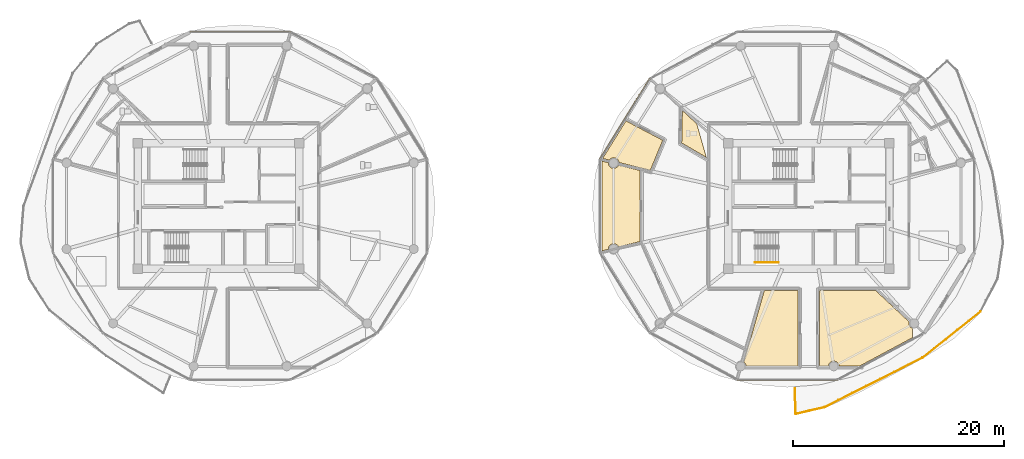
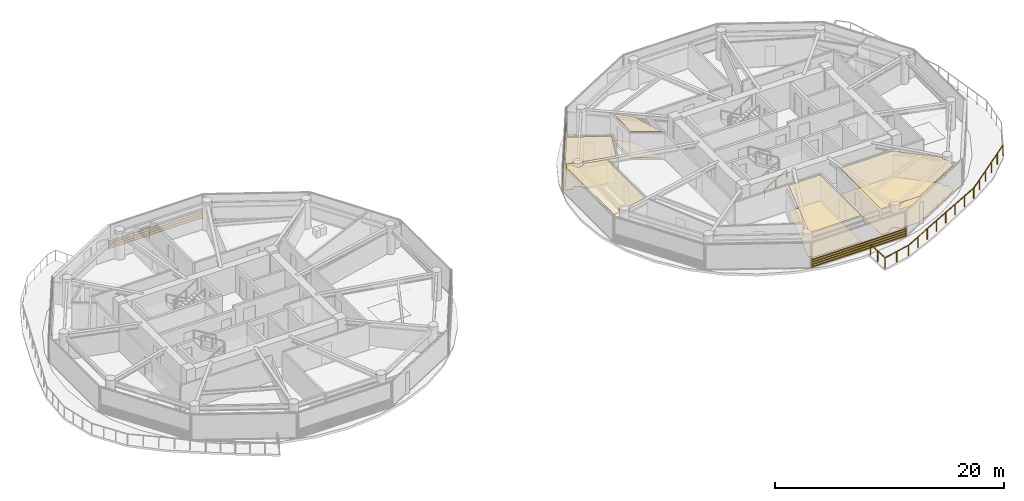
# One storey, part 22 of 25: 9 coverings, 3 shading devices, 2 railings.
"""IFC4 building model written with IfcOpenShell, lengths in metres."""

from ifc_helpers import new_model, si_unit, direction, frame, origin, origin_2d, place, context, subcontext, project, spatial, polyline, rectangle, outline, extrude, source, transform, mapped, material, layer, layer_set, type_object, type_shapes, element, save


model = new_model("IFC4")

# Units and contexts
model_context = context("Model", 3, precision=1e-05, world=origin(), true_north=direction((0.0, 1.0)))
body_context = subcontext(model_context, "Body", "Model", "MODEL_VIEW")
ifc_project = project(units=[si_unit("LENGTHUNIT", "METRE"), si_unit("AREAUNIT", "SQUARE_METRE"), si_unit("VOLUMEUNIT", "CUBIC_METRE"), si_unit("PLANEANGLEUNIT", "RADIAN"), si_unit("MASSUNIT", "GRAM", prefix="KILO")], contexts=[model_context])

# Site, building, storey
site_placement = place(None, origin())
site = spatial("IfcSite", under=ifc_project, at=site_placement, CompositionType="ELEMENT")
building_placement = place(site_placement, origin())
building = spatial("IfcBuilding", under=site, at=building_placement, Name="Norrkilde Senior Care Towers", CompositionType="ELEMENT")
storey_placement = place(building_placement, frame((0.0, 0.0, 99.300048828125)))
storey = spatial("IfcBuildingStorey", under=building, at=storey_placement, Name="L30", CompositionType="ELEMENT", Elevation=99.300048828125)

# Coverings
ifc_material_1 = material(Name="Nordic Ash Timber", Category="wood")
ifc_layer_1 = layer(ifc_material_1, 0.044921875)
ifc_layer_set_1 = layer_set([ifc_layer_1], Name="Nordic Ash Timber")
covering_type_1 = type_object("IfcCoveringType", Name="Acoustic Ash Timber Slatted Ceiling 45", PredefinedType="CEILING", material=ifc_layer_set_1)
covering_1_placement = place(storey_placement, frame((0.0, 0.0, 2.744873046875)))
element("IfcCovering", 1, at=covering_1_placement, inside=storey, type_object=covering_type_1, Name="L30 Suspended Ceiling 0260", PredefinedType="CEILING", context=body_context, shape_type="SweptSolid", body=[
    extrude(outline(polyline([(23.784912109375, -8.0), (26.97998046875, -8.0), (26.97998046875, -15.169921875), (22.036376953125, -15.169921875), (22.02490234375, -15.08251953125), (21.974365234375, -14.9609375), (21.894287109375, -14.856201171875), (21.835205078125, -14.81103515625), (23.784912109375, -8.0)])), origin(), (0.0, 0.0, 1.0), 0.045166015625),
])
covering_2_placement = place(storey_placement, frame((0.0, 0.0, 2.744873046875)))
element("IfcCovering", 2, at=covering_2_placement, inside=storey, type_object=covering_type_1, Name="L30 Suspended Ceiling 0261", PredefinedType="CEILING", context=body_context, shape_type="SweptSolid", body=[
    extrude(outline(polyline([(32.846435546875, -15.169921875), (30.862060546875, -15.169921875), (30.8505859375, -15.08251953125), (30.80029296875, -14.9609375), (30.719970703125, -14.856201171875), (30.615478515625, -14.77587890625), (30.49365234375, -14.7255859375), (30.36279296875, -14.708251953125), (30.232177734375, -14.7255859375), (30.1103515625, -14.77587890625), (30.005859375, -14.856201171875), (29.925537109375, -14.9609375), (29.875, -15.08251953125), (29.863525390625, -15.169921875), (29.02001953125, -15.169921875), (29.02001953125, -8.0), (34.320556640625, -8.0), (37.522216796875, -10.9970703125), (37.518310546875, -11.00634765625), (37.501220703125, -11.136962890625), (37.518310546875, -11.267578125), (37.56884765625, -11.389404296875), (37.649169921875, -11.494140625), (37.753662109375, -11.57421875), (37.830078125, -11.60595703125), (37.830078125, -12.496826171875), (32.846435546875, -15.169921875)])), origin(), (0.0, 0.0, 1.0), 0.045166015625),
])
covering_3_placement = place(storey_placement, frame((0.0, 0.0, 2.744873046875)))
element("IfcCovering", 3, at=covering_3_placement, inside=storey, type_object=covering_type_1, Name="L30 Suspended Ceiling 0264", PredefinedType="CEILING", context=body_context, shape_type="SweptSolid", body=[
    extrude(outline(polyline([(9.97900390625, 4.129638671875), (9.96875, 4.20703125), (9.918212890625, 4.328857421875), (9.838134765625, 4.43359375), (9.7333984375, 4.513671875), (9.611572265625, 4.564208984375), (9.48095703125, 4.581298828125), (9.350341796875, 4.564208984375), (9.228515625, 4.513671875), (9.123779296875, 4.43359375), (9.06640625, 4.358642578125), (8.44140625, 4.515380859375), (10.65234375, 8.0732421875), (14.138916015625, 6.23486328125), (12.958251953125, 3.38232421875), (9.97900390625, 4.129638671875)])), origin(), (0.0, 0.0, 1.0), 0.045166015625),
])
covering_4_placement = place(storey_placement, frame((0.0, 0.0, 2.744873046875)))
element("IfcCovering", 4, at=covering_4_placement, inside=storey, type_object=covering_type_1, Name="L30 Suspended Ceiling 0265", PredefinedType="CEILING", context=body_context, shape_type="SweptSolid", body=[
    extrude(outline(polyline([(8.97607421875, 4.076416015625), (8.9931640625, 3.94580078125), (9.043701171875, 3.823974609375), (9.123779296875, 3.71923828125), (9.228515625, 3.63916015625), (9.350341796875, 3.588623046875), (9.48095703125, 3.5712890625), (9.611572265625, 3.588623046875), (9.7333984375, 3.63916015625), (9.838134765625, 3.71923828125), (9.918212890625, 3.823974609375), (9.938232421875, 3.872314453125), (11.981201171875, 3.37353515625), (11.981201171875, -3.37353515625), (9.938232421875, -3.872314453125), (9.918212890625, -3.823974609375), (9.838134765625, -3.71923828125), (9.7333984375, -3.63916015625), (9.611572265625, -3.588623046875), (9.48095703125, -3.5712890625), (9.350341796875, -3.588623046875), (9.228515625, -3.63916015625), (9.123779296875, -3.71923828125), (9.043701171875, -3.823974609375), (8.9931640625, -3.94580078125), (8.97607421875, -4.076416015625), (8.97998046875, -4.106201171875), (8.35498046875, -4.2587890625), (8.35498046875, 4.2587890625), (8.97998046875, 4.106201171875), (8.97607421875, 4.076416015625)])), origin(), (0.0, 0.0, 1.0), 0.045166015625),
])

# Railing
ifc_material_2 = material(Name="Anodised Aluminium", Category="aluminium")
railing_type_1 = type_object("IfcRailingType", Name="Balcony Swirl Ribbon Guardrail 1150", PredefinedType="GUARDRAIL", material=ifc_material_2)
railing_1_placement = place(storey_placement, frame((44.28173828125, -10.02685546875, 0.0)))
element("IfcRailing", 5, at=railing_1_placement, inside=storey, type_object=railing_type_1, Name="L30 Perimeter Safety Guard 01", PredefinedType="GUARDRAIL", context=body_context, shape_type="SweptSolid", body=[
    extrude(rectangle(XDim=0.048095703125, YDim=0.048095703125, at=origin_2d()), frame((0.0, 0.0, 1.1259765625), z_axis=(-0.782355938663, -0.622831586578, 0.0), x_axis=(0.622831586578, -0.782355938663, 0.0)), (0.0, 0.0, 1.0), 6.9638671875),
    extrude(rectangle(XDim=0.048095703125, YDim=0.048095703125, at=origin_2d()), frame((-5.5166015625, -4.38134765625, 1.1259765625), z_axis=(-0.892379595109, -0.451285561737, 0.0), x_axis=(0.451285561737, -0.892379595109, 0.0)), (0.0, 0.0, 1.0), 10.3388671875),
    extrude(rectangle(XDim=0.048095703125, YDim=0.048095703125, at=origin_2d()), frame((-14.819091796875, -9.07470703125, 1.1259765625), z_axis=(-0.974268369779, -0.225391090438, 0.0), x_axis=(0.225391090438, -0.974268369779, 0.0)), (0.0, 0.0, 1.0), 2.735595703125),
    extrude(rectangle(XDim=0.048095703125, YDim=0.048095703125, at=origin_2d()), frame((-17.525634765625, -9.65966796875, 1.1259765625), z_axis=(-0.036820325861, 0.999321901893, 0.0), x_axis=(-0.999321901893, -0.036820325861, 0.0)), (0.0, 0.0, 1.0), 2.365966796875),
    extrude(rectangle(XDim=0.0419921875, YDim=0.0419921875, at=origin_2d()), origin(), (0.0, 0.0, 1.0), 1.099853515625),
    extrude(rectangle(XDim=0.0419921875, YDim=0.0419921875, at=origin_2d()), frame((-1.095947265625, -0.87255859375, 0.0)), (0.0, 0.0, 1.0), 1.099853515625),
    extrude(rectangle(XDim=0.0419921875, YDim=0.0419921875, at=origin_2d()), frame((-2.192138671875, -1.7451171875, 0.0)), (0.0, 0.0, 1.0), 1.099853515625),
    extrude(rectangle(XDim=0.0419921875, YDim=0.0419921875, at=origin_2d()), frame((-3.2880859375, -2.61767578125, 0.0)), (0.0, 0.0, 1.0), 1.099853515625),
    extrude(rectangle(XDim=0.0419921875, YDim=0.0419921875, at=origin_2d()), frame((-4.38427734375, -3.490234375, 0.0)), (0.0, 0.0, 1.0), 1.099853515625),
    extrude(rectangle(XDim=0.0419921875, YDim=0.0419921875, at=origin_2d()), frame((-5.480224609375, -4.36279296875, 0.0)), (0.0, 0.0, 1.0), 1.099853515625),
    extrude(rectangle(XDim=0.0419921875, YDim=0.0419921875, at=origin_2d()), frame((-6.80859375, -5.03466796875, 0.0)), (0.0, 0.0, 1.0), 1.099853515625),
    extrude(rectangle(XDim=0.0419921875, YDim=0.0419921875, at=origin_2d()), frame((-8.13720703125, -5.706298828125, 0.0)), (0.0, 0.0, 1.0), 1.099853515625),
    extrude(rectangle(XDim=0.0419921875, YDim=0.0419921875, at=origin_2d()), frame((-9.465576171875, -6.378173828125, 0.0)), (0.0, 0.0, 1.0), 1.099853515625),
    extrude(rectangle(XDim=0.0419921875, YDim=0.0419921875, at=origin_2d()), frame((-10.7939453125, -7.050048828125, 0.0)), (0.0, 0.0, 1.0), 1.099853515625),
    extrude(rectangle(XDim=0.0419921875, YDim=0.0419921875, at=origin_2d()), frame((-12.122314453125, -7.721923828125, 0.0)), (0.0, 0.0, 1.0), 1.099853515625),
    extrude(rectangle(XDim=0.0419921875, YDim=0.0419921875, at=origin_2d()), frame((-13.450927734375, -8.3935546875, 0.0)), (0.0, 0.0, 1.0), 1.099853515625),
    extrude(rectangle(XDim=0.0419921875, YDim=0.0419921875, at=origin_2d()), frame((-14.779296875, -9.0654296875, 0.0)), (0.0, 0.0, 1.0), 1.099853515625),
    extrude(rectangle(XDim=0.0419921875, YDim=0.0419921875, at=origin_2d()), frame((-16.15185546875, -9.3828125, 0.0)), (0.0, 0.0, 1.0), 1.099853515625),
    extrude(rectangle(XDim=0.0419921875, YDim=0.0419921875, at=origin_2d()), frame((-17.524169921875, -9.700439453125, 0.0)), (0.0, 0.0, 1.0), 1.099853515625),
    extrude(rectangle(XDim=0.0419921875, YDim=0.0419921875, at=origin_2d()), frame((-17.568359375, -8.497802734375, 0.0)), (0.0, 0.0, 1.0), 1.099853515625),
    extrude(rectangle(XDim=0.0419921875, YDim=0.0419921875, at=origin_2d()), frame((-17.61279296875, -7.295166015625, 0.0)), (0.0, 0.0, 1.0), 1.099853515625),
])

# Coverings
ifc_material_3 = material(Name="Gypsum Acoustic Board")
ifc_layer_2 = layer(ifc_material_3, 0.030029296875)
ifc_layer_set_2 = layer_set([ifc_layer_2], Name="Gypsum Acoustic Board")
covering_type_2 = type_object("IfcCoveringType", Name="Medical Cleanable Gypsum Ceiling 30", PredefinedType="CEILING", material=ifc_layer_set_2)
covering_5_placement = place(storey_placement, frame((0.0, 0.0, 2.760009765625)))
element("IfcCovering", 6, at=covering_5_placement, inside=storey, type_object=covering_type_2, Name="L30 Suspended Ceiling 0263", PredefinedType="CEILING", context=body_context, shape_type="SweptSolid", body=[
    extrude(outline(polyline([(16.002685546875, 9.065185546875), (17.366455078125, 7.788330078125), (18.2724609375, 4.6220703125), (15.94091796875, 5.9833984375), (16.002685546875, 9.065185546875)])), origin(), (0.0, 0.0, 1.0), 0.030029296875),
])
ifc_material_4 = material(Name="Slip-Resistant Porcelain Stone", Category="masonry")
ifc_layer_3 = layer(ifc_material_4, 0.02490234375)
ifc_layer_set_3 = layer_set([ifc_layer_3], Name="Slip-Resistant Porcelain Stone")
covering_type_3 = type_object("IfcCoveringType", Name="Slip-Resistant Porcelain Flooring 25", PredefinedType="FLOORING", material=ifc_layer_set_3)
covering_6_placement = place(storey_placement, origin())
element("IfcCovering", 7, at=covering_6_placement, inside=storey, type_object=covering_type_3, Name="L30 Floor Finish 0260", PredefinedType="FLOORING", context=body_context, shape_type="SweptSolid", body=[
    extrude(outline(polyline([(23.784912109375, -8.0), (26.97998046875, -8.0), (26.97998046875, -15.169921875), (22.036376953125, -15.169921875), (22.02490234375, -15.08251953125), (21.974365234375, -14.9609375), (21.894287109375, -14.856201171875), (21.835205078125, -14.81103515625), (23.784912109375, -8.0)])), origin(), (0.0, 0.0, 1.0), 0.02490234375),
])
covering_7_placement = place(storey_placement, origin())
element("IfcCovering", 8, at=covering_7_placement, inside=storey, type_object=covering_type_3, Name="L30 Floor Finish 0261", PredefinedType="FLOORING", context=body_context, shape_type="SweptSolid", body=[
    extrude(outline(polyline([(32.846435546875, -15.169921875), (30.862060546875, -15.169921875), (30.8505859375, -15.08251953125), (30.80029296875, -14.9609375), (30.719970703125, -14.856201171875), (30.615478515625, -14.77587890625), (30.49365234375, -14.7255859375), (30.36279296875, -14.708251953125), (30.232177734375, -14.7255859375), (30.1103515625, -14.77587890625), (30.005859375, -14.856201171875), (29.925537109375, -14.9609375), (29.875, -15.08251953125), (29.863525390625, -15.169921875), (29.02001953125, -15.169921875), (29.02001953125, -8.0), (34.320556640625, -8.0), (37.522216796875, -10.9970703125), (37.518310546875, -11.00634765625), (37.501220703125, -11.136962890625), (37.518310546875, -11.267578125), (37.56884765625, -11.389404296875), (37.649169921875, -11.494140625), (37.753662109375, -11.57421875), (37.830078125, -11.60595703125), (37.830078125, -12.496826171875), (32.846435546875, -15.169921875)])), origin(), (0.0, 0.0, 1.0), 0.02490234375),
])
covering_8_placement = place(storey_placement, origin())
element("IfcCovering", 9, at=covering_8_placement, inside=storey, type_object=covering_type_3, Name="L30 Floor Finish 0263", PredefinedType="FLOORING", context=body_context, shape_type="SweptSolid", body=[
    extrude(outline(polyline([(16.002685546875, 9.065185546875), (17.366455078125, 7.788330078125), (18.2724609375, 4.6220703125), (15.94091796875, 5.9833984375), (16.002685546875, 9.065185546875)])), origin(), (0.0, 0.0, 1.0), 0.02490234375),
])
covering_9_placement = place(storey_placement, origin())
element("IfcCovering", 10, at=covering_9_placement, inside=storey, type_object=covering_type_3, Name="L30 Floor Finish 0264", PredefinedType="FLOORING", context=body_context, shape_type="SweptSolid", body=[
    extrude(outline(polyline([(9.97900390625, 4.129638671875), (9.96875, 4.20703125), (9.918212890625, 4.328857421875), (9.838134765625, 4.43359375), (9.7333984375, 4.513671875), (9.611572265625, 4.564208984375), (9.48095703125, 4.581298828125), (9.350341796875, 4.564208984375), (9.228515625, 4.513671875), (9.123779296875, 4.43359375), (9.06640625, 4.358642578125), (8.44140625, 4.515380859375), (10.65234375, 8.0732421875), (14.138916015625, 6.23486328125), (12.958251953125, 3.38232421875), (9.97900390625, 4.129638671875)])), origin(), (0.0, 0.0, 1.0), 0.02490234375),
])

# Railing
railing_type_2 = type_object("IfcRailingType", Name="Wall and Stair Handrail 900", PredefinedType="HANDRAIL", material=ifc_material_1)
railing_2_placement = place(storey_placement, frame((22.89990234375, -5.35009765625, 0.16943359375)))
element("IfcRailing", 11, at=railing_2_placement, inside=storey, type_object=railing_type_2, Name="L30 ST-E2 stair handrail 1", PredefinedType="HANDRAIL", context=body_context, shape_type="SweptSolid", body=[
    extrude(rectangle(XDim=0.048095703125, YDim=0.048095703125, at=origin_2d()), frame((0.0, 0.0, 0.8759765625), z_axis=(0.855553338991, 0.0, 0.51771467445), x_axis=(0.0, 1.0, 0.0)), (0.0, 0.0, 1.0), 2.6181640625),
    extrude(rectangle(XDim=0.0419921875, YDim=0.0419921875, at=origin_2d()), origin(), (0.0, 0.0, 1.0), 0.849853515625),
    extrude(rectangle(XDim=0.0419921875, YDim=0.0419921875, at=origin_2d()), frame((1.1201171875, 0.0, 0.677734375)), (0.0, 0.0, 1.0), 0.849853515625),
    extrude(rectangle(XDim=0.0419921875, YDim=0.0419921875, at=origin_2d()), frame((2.239990234375, 0.0, 1.35546875)), (0.0, 0.0, 1.0), 0.849853515625),
])

# Shading devices
ifc_material_5 = material(Name="Architectural Terracotta", Category="masonry")
shading_device_type = type_object("IfcShadingDeviceType", Name="Horizontal Terracotta Baguette Rack", PredefinedType="USERDEFINED", material=ifc_material_5)
shared_shape_1 = source(origin(), body_context, "Body", "SweptSolid", [
    extrude(rectangle(XDim=0.070068359375, YDim=0.110107421875, at=origin_2d()), frame((0.0, 0.090087890625, 0.125), z_axis=(1.0, 0.0, 0.0), x_axis=(0.0, 1.0, 0.0)), (0.0, 0.0, 1.0), 9.01416015625),
    extrude(rectangle(XDim=0.070068359375, YDim=0.110107421875, at=origin_2d()), frame((0.0, 0.090087890625, 0.375), z_axis=(1.0, 0.0, 0.0), x_axis=(0.0, 1.0, 0.0)), (0.0, 0.0, 1.0), 9.01416015625),
    extrude(rectangle(XDim=0.070068359375, YDim=0.110107421875, at=origin_2d()), frame((0.0, 0.090087890625, 0.625), z_axis=(1.0, 0.0, 0.0), x_axis=(0.0, 1.0, 0.0)), (0.0, 0.0, 1.0), 9.01416015625),
    extrude(rectangle(XDim=0.070068359375, YDim=0.110107421875, at=origin_2d()), frame((0.0, 0.090087890625, 0.875), z_axis=(1.0, 0.0, 0.0), x_axis=(0.0, 1.0, 0.0)), (0.0, 0.0, 1.0), 9.01416015625),
    extrude(rectangle(XDim=0.050048828125, YDim=0.1552734375, at=origin_2d()), frame((0.02490234375, 0.047607421875, 0.0)), (0.0, 0.0, 1.0), 1.0),
    extrude(rectangle(XDim=0.050048828125, YDim=0.1552734375, at=origin_2d()), frame((8.9892578125, 0.047607421875, 0.0)), (0.0, 0.0, 1.0), 1.0),
])
shading_device_placement = place(storey_placement, frame((8.1962890625, 4.420654296875, 0.079833984375), z_axis=(0.0, 0.0, 1.0), x_axis=(0.527734142246, 0.849412274525, 0.0)))
element("IfcShadingDevice", 12, at=shading_device_placement, inside=storey, type_object=shading_device_type, Name="L30 Drum E Terracotta Baguette Screen 04", ObjectType="BAGUETTE", PredefinedType="USERDEFINED", context=body_context, shape_type="MappedRepresentation", body=[
    mapped(shared_shape_1, transform((0.0, 0.0, 0.0), x_axis=(1.0, 0.0, 0.0), y_axis=(0.0, 1.0, 0.0), z_axis=(0.0, 0.0, 1.0), scale=1.0)),
])
shared_shape_2 = source(origin(), body_context, "Body", "SweptSolid", [
    extrude(rectangle(XDim=0.070068359375, YDim=0.110107421875, at=origin_2d()), frame((0.0, 0.090087890625, 0.125), z_axis=(1.0, 0.0, 0.0), x_axis=(0.0, 1.0, 0.0)), (0.0, 0.0, 1.0), 9.51416015625),
    extrude(rectangle(XDim=0.070068359375, YDim=0.110107421875, at=origin_2d()), frame((0.0, 0.090087890625, 0.375), z_axis=(1.0, 0.0, 0.0), x_axis=(0.0, 1.0, 0.0)), (0.0, 0.0, 1.0), 9.51416015625),
    extrude(rectangle(XDim=0.070068359375, YDim=0.110107421875, at=origin_2d()), frame((0.0, 0.090087890625, 0.625), z_axis=(1.0, 0.0, 0.0), x_axis=(0.0, 1.0, 0.0)), (0.0, 0.0, 1.0), 9.51416015625),
    extrude(rectangle(XDim=0.070068359375, YDim=0.110107421875, at=origin_2d()), frame((0.0, 0.090087890625, 0.875), z_axis=(1.0, 0.0, 0.0), x_axis=(0.0, 1.0, 0.0)), (0.0, 0.0, 1.0), 9.51416015625),
    extrude(rectangle(XDim=0.050048828125, YDim=0.1552734375, at=origin_2d()), frame((0.02490234375, 0.047607421875, 0.0)), (0.0, 0.0, 1.0), 1.0),
    extrude(rectangle(XDim=0.050048828125, YDim=0.1552734375, at=origin_2d()), frame((9.4892578125, 0.047607421875, 0.0)), (0.0, 0.0, 1.0), 1.0),
])
type_shapes(shading_device_type, [shared_shape_1, shared_shape_2])
for number, where, z_axis, x_axis, name in (
    (13, (-30.70703125, 16.498046875, 0.079833984375), (0.0, 0.0, 1.0), (1.0, 0.0, 0.0), "L30 Drum W Terracotta Baguette Screen 02"),
    (14, (30.70703125, -16.498046875, 0.079833984375), (0.0, 0.0, 1.0), (-1.0, 0.0, 0.0), "L30 Drum E Terracotta Baguette Screen 08"),
):
    element("IfcShadingDevice", number, at=place(storey_placement, frame(where, z_axis=z_axis, x_axis=x_axis)), inside=storey, type_object=shading_device_type, Name=name, ObjectType="BAGUETTE", PredefinedType="USERDEFINED", context=body_context, shape_type="MappedRepresentation", body=[
        mapped(shared_shape_2, transform((0.0, 0.0, 0.0), x_axis=(1.0, 0.0, 0.0), y_axis=(0.0, 1.0, 0.0), z_axis=(0.0, 0.0, 1.0), scale=1.0)),
    ])

save(model, "model.ifc")
